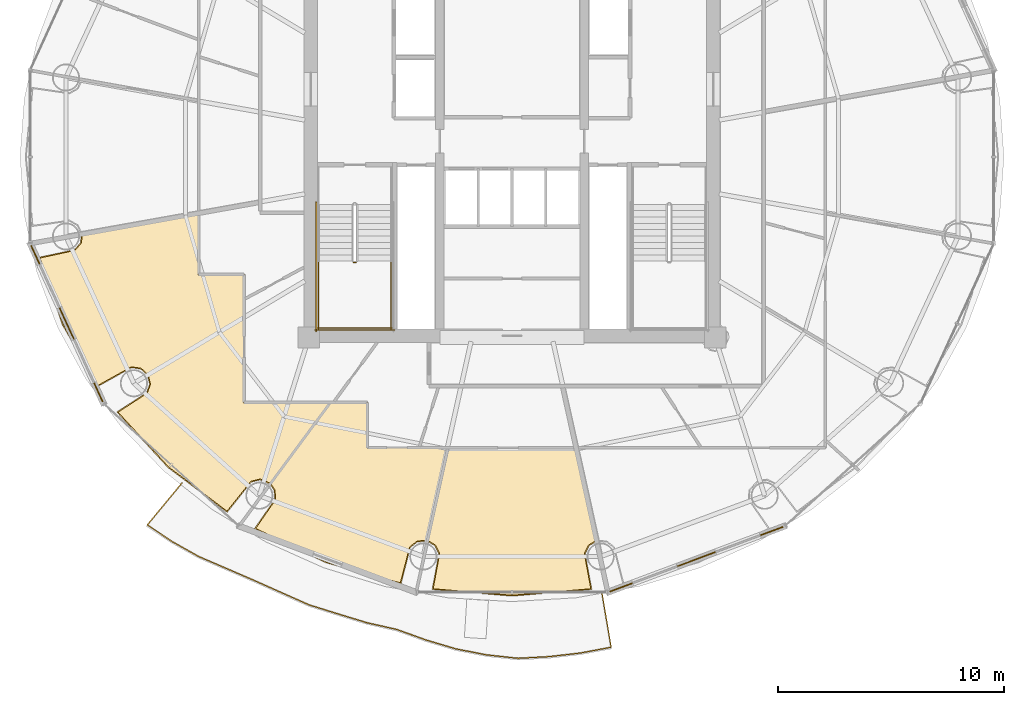
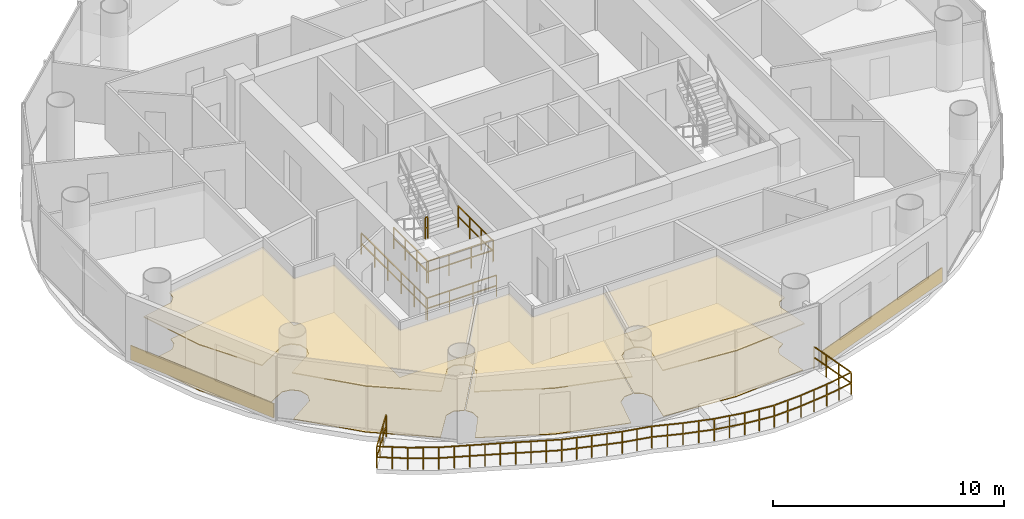
# One storey, part 24 of 27: 8 coverings, 7 railings.
"""IFC4 building model written with IfcOpenShell, lengths in metres."""

from ifc_helpers import new_model, si_unit, direction, frame, origin, origin_2d, place, context, subcontext, project, spatial, polyline, rectangle, outline, extrude, source, transform, mapped, material, layer, layer_set, type_object, element, save


model = new_model("IFC4")

# Units and contexts
model_context = context("Model", 3, precision=1e-05, world=origin(), true_north=direction((-0.2419218956, 0.970295726276)))
body_context = subcontext(model_context, "Body", "Model", "MODEL_VIEW")
ifc_project = project(units=[si_unit("LENGTHUNIT", "METRE"), si_unit("AREAUNIT", "SQUARE_METRE"), si_unit("VOLUMEUNIT", "CUBIC_METRE"), si_unit("PLANEANGLEUNIT", "RADIAN"), si_unit("MASSUNIT", "GRAM", prefix="KILO")], contexts=[model_context])

# Site, building, storey
site_placement = place(None, origin())
site = spatial("IfcSite", under=ifc_project, at=site_placement, CompositionType="ELEMENT")
building_placement = place(site_placement, origin())
building = spatial("IfcBuilding", under=site, at=building_placement, Name="Cobrevalo Terracotta Tower", CompositionType="ELEMENT")
storey_placement = place(building_placement, frame((0.0, 0.0, 198.60009765625)))
storey = spatial("IfcBuildingStorey", under=building, at=storey_placement, Name="L52", CompositionType="ELEMENT", Elevation=198.60009765625)

# Railing
ifc_material_1 = material(Name="Laminated structural glass and stainless steel", Category="steel")
railing_type_1 = type_object("IfcRailingType", Name="Balcony lobe structural glass & terracotta-cap balustrade 1180 mm", PredefinedType="BALUSTRADE", material=ifc_material_1)
railing_1_placement = place(storey_placement, frame((23.3779296875, 12.355712890625, 0.0)))
element("IfcRailing", 1, at=railing_1_placement, inside=storey, type_object=railing_type_1, Name="L52 spiralling balcony lobe balustrade 2", PredefinedType="BALUSTRADE", context=body_context, shape_type="SweptSolid", body=[
    extrude(rectangle(XDim=0.048095703125, YDim=0.048095703125, at=origin_2d()), frame((0.0, 0.0, 1.15576171875), z_axis=(-0.637383386473, -0.770546830925, 0.0), x_axis=(0.770546830925, -0.637383386473, 0.0)), (0.0, 0.0, 1.0), 2.412841796875),
    extrude(rectangle(XDim=0.048095703125, YDim=0.048095703125, at=origin_2d()), frame((0.0, 0.0, 0.58984375), z_axis=(-0.637383386473, -0.770546830925, 0.0), x_axis=(0.770546830925, -0.637383386473, 0.0)), (0.0, 0.0, 1.0), 2.412841796875),
    extrude(rectangle(XDim=0.048095703125, YDim=0.048095703125, at=origin_2d()), frame((-1.537841796875, -1.859130859375, 1.15576171875), z_axis=(0.830731241323, -0.556673696783, 0.0), x_axis=(0.556673696783, 0.830731241323, 0.0)), (0.0, 0.0, 1.0), 1.3408203125),
    extrude(rectangle(XDim=0.048095703125, YDim=0.048095703125, at=origin_2d()), frame((-1.537841796875, -1.859130859375, 0.58984375), z_axis=(0.830731241323, -0.556673696783, 0.0), x_axis=(0.556673696783, 0.830731241323, 0.0)), (0.0, 0.0, 1.0), 1.3408203125),
    extrude(rectangle(XDim=0.048095703125, YDim=0.048095703125, at=origin_2d()), frame((-0.424072265625, -2.60546875, 1.15576171875), z_axis=(0.87194013131, -0.489612507408, 0.0), x_axis=(0.489612507408, 0.87194013131, 0.0)), (0.0, 0.0, 1.0), 1.34033203125),
    extrude(rectangle(XDim=0.048095703125, YDim=0.048095703125, at=origin_2d()), frame((-0.424072265625, -2.60546875, 0.58984375), z_axis=(0.87194013131, -0.489612507408, 0.0), x_axis=(0.489612507408, 0.87194013131, 0.0)), (0.0, 0.0, 1.0), 1.34033203125),
    extrude(rectangle(XDim=0.048095703125, YDim=0.048095703125, at=origin_2d()), frame((0.74462890625, -3.26171875, 1.15576171875), z_axis=(0.918280946174, -0.395929417818, 0.0), x_axis=(0.395929417818, 0.918280946174, 0.0)), (0.0, 0.0, 1.0), 1.347900390625),
    extrude(rectangle(XDim=0.048095703125, YDim=0.048095703125, at=origin_2d()), frame((0.74462890625, -3.26171875, 0.58984375), z_axis=(0.918280946174, -0.395929417818, 0.0), x_axis=(0.395929417818, 0.918280946174, 0.0)), (0.0, 0.0, 1.0), 1.347900390625),
    extrude(rectangle(XDim=0.048095703125, YDim=0.048095703125, at=origin_2d()), frame((1.982421875, -3.79541015625, 1.15576171875), z_axis=(0.918374668053, -0.395711977425, 0.0), x_axis=(0.395711977425, 0.918374668053, 0.0)), (0.0, 0.0, 1.0), 1.330810546875),
    extrude(rectangle(XDim=0.048095703125, YDim=0.048095703125, at=origin_2d()), frame((1.982421875, -3.79541015625, 0.58984375), z_axis=(0.918374668053, -0.395711977425, 0.0), x_axis=(0.395711977425, 0.918374668053, 0.0)), (0.0, 0.0, 1.0), 1.330810546875),
    extrude(rectangle(XDim=0.048095703125, YDim=0.048095703125, at=origin_2d()), frame((3.20458984375, -4.322021484375, 1.15576171875), z_axis=(0.912933213971, -0.40810898891, 0.0), x_axis=(0.40810898891, 0.912933213971, 0.0)), (0.0, 0.0, 1.0), 1.332763671875),
    extrude(rectangle(XDim=0.048095703125, YDim=0.048095703125, at=origin_2d()), frame((3.20458984375, -4.322021484375, 0.58984375), z_axis=(0.912933213971, -0.40810898891, 0.0), x_axis=(0.40810898891, 0.912933213971, 0.0)), (0.0, 0.0, 1.0), 1.332763671875),
    extrude(rectangle(XDim=0.048095703125, YDim=0.048095703125, at=origin_2d()), frame((4.42138671875, -4.865966796875, 1.15576171875), z_axis=(0.914445341458, -0.40470942352, 0.0), x_axis=(0.40470942352, 0.914445341458, 0.0)), (0.0, 0.0, 1.0), 1.33203125),
    extrude(rectangle(XDim=0.048095703125, YDim=0.048095703125, at=origin_2d()), frame((4.42138671875, -4.865966796875, 0.58984375), z_axis=(0.914445341458, -0.40470942352, 0.0), x_axis=(0.40470942352, 0.914445341458, 0.0)), (0.0, 0.0, 1.0), 1.33203125),
    extrude(rectangle(XDim=0.048095703125, YDim=0.048095703125, at=origin_2d()), frame((5.639404296875, -5.405029296875, 1.15576171875), z_axis=(0.95469026063, -0.29760125379, 0.0), x_axis=(0.29760125379, 0.95469026063, 0.0)), (0.0, 0.0, 1.0), 1.34130859375),
    extrude(rectangle(XDim=0.048095703125, YDim=0.048095703125, at=origin_2d()), frame((5.639404296875, -5.405029296875, 0.58984375), z_axis=(0.95469026063, -0.29760125379, 0.0), x_axis=(0.29760125379, 0.95469026063, 0.0)), (0.0, 0.0, 1.0), 1.34130859375),
    extrude(rectangle(XDim=0.048095703125, YDim=0.048095703125, at=origin_2d()), frame((6.919921875, -5.80419921875, 1.15576171875), z_axis=(0.956488522984, -0.291769952872, 0.0), x_axis=(0.291769952872, 0.956488522984, 0.0)), (0.0, 0.0, 1.0), 1.34130859375),
    extrude(rectangle(XDim=0.048095703125, YDim=0.048095703125, at=origin_2d()), frame((6.919921875, -5.80419921875, 0.58984375), z_axis=(0.956488522984, -0.291769952872, 0.0), x_axis=(0.291769952872, 0.956488522984, 0.0)), (0.0, 0.0, 1.0), 1.34130859375),
    extrude(rectangle(XDim=0.048095703125, YDim=0.048095703125, at=origin_2d()), frame((8.202880859375, -6.195556640625, 1.15576171875), z_axis=(0.975481258354, -0.220082517708, 0.0), x_axis=(0.220082517708, 0.975481258354, 0.0)), (0.0, 0.0, 1.0), 1.344482421875),
    extrude(rectangle(XDim=0.048095703125, YDim=0.048095703125, at=origin_2d()), frame((8.202880859375, -6.195556640625, 0.58984375), z_axis=(0.975481258354, -0.220082517708, 0.0), x_axis=(0.220082517708, 0.975481258354, 0.0)), (0.0, 0.0, 1.0), 1.344482421875),
    extrude(rectangle(XDim=0.048095703125, YDim=0.048095703125, at=origin_2d()), frame((9.514404296875, -6.491455078125, 1.15576171875), z_axis=(0.940959841768, -0.33851820657, 0.0), x_axis=(0.33851820657, 0.940959841768, 0.0)), (0.0, 0.0, 1.0), 1.37451171875),
    extrude(rectangle(XDim=0.048095703125, YDim=0.048095703125, at=origin_2d()), frame((9.514404296875, -6.491455078125, 0.58984375), z_axis=(0.940959841768, -0.33851820657, 0.0), x_axis=(0.33851820657, 0.940959841768, 0.0)), (0.0, 0.0, 1.0), 1.37451171875),
    extrude(rectangle(XDim=0.048095703125, YDim=0.048095703125, at=origin_2d()), frame((10.807861328125, -6.956787109375, 1.15576171875), z_axis=(0.95837747589, -0.285504139563, 0.0), x_axis=(0.285504139563, 0.95837747589, 0.0)), (0.0, 0.0, 1.0), 1.38525390625),
    extrude(rectangle(XDim=0.048095703125, YDim=0.048095703125, at=origin_2d()), frame((10.807861328125, -6.956787109375, 0.58984375), z_axis=(0.95837747589, -0.285504139563, 0.0), x_axis=(0.285504139563, 0.95837747589, 0.0)), (0.0, 0.0, 1.0), 1.38525390625),
    extrude(rectangle(XDim=0.048095703125, YDim=0.048095703125, at=origin_2d()), frame((12.135498046875, -7.352294921875, 1.15576171875), z_axis=(0.981566949028, -0.191118613891, 0.0), x_axis=(0.191118613891, 0.981566949028, 0.0)), (0.0, 0.0, 1.0), 1.39111328125),
    extrude(rectangle(XDim=0.048095703125, YDim=0.048095703125, at=origin_2d()), frame((12.135498046875, -7.352294921875, 0.58984375), z_axis=(0.981566949028, -0.191118613891, 0.0), x_axis=(0.191118613891, 0.981566949028, 0.0)), (0.0, 0.0, 1.0), 1.39111328125),
    extrude(rectangle(XDim=0.048095703125, YDim=0.048095703125, at=origin_2d()), frame((13.5009765625, -7.6181640625, 1.15576171875), z_axis=(0.994034619078, -0.109065008479, 0.0), x_axis=(0.109065008479, 0.994034619078, 0.0)), (0.0, 0.0, 1.0), 1.392333984375),
    extrude(rectangle(XDim=0.048095703125, YDim=0.048095703125, at=origin_2d()), frame((13.5009765625, -7.6181640625, 0.58984375), z_axis=(0.994034619078, -0.109065008479, 0.0), x_axis=(0.109065008479, 0.994034619078, 0.0)), (0.0, 0.0, 1.0), 1.392333984375),
    extrude(rectangle(XDim=0.048095703125, YDim=0.048095703125, at=origin_2d()), frame((14.885009765625, -7.77001953125, 1.15576171875), z_axis=(0.998537154402, 0.054069874043, 0.0), x_axis=(-0.054069874043, 0.998537154402, 0.0)), (0.0, 0.0, 1.0), 1.390625),
    extrude(rectangle(XDim=0.048095703125, YDim=0.048095703125, at=origin_2d()), frame((14.885009765625, -7.77001953125, 0.58984375), z_axis=(0.998537154402, 0.054069874043, 0.0), x_axis=(-0.054069874043, 0.998537154402, 0.0)), (0.0, 0.0, 1.0), 1.390625),
    extrude(rectangle(XDim=0.048095703125, YDim=0.048095703125, at=origin_2d()), frame((16.273681640625, -7.69482421875, 1.15576171875), z_axis=(0.993351854088, 0.115117739637, 0.0), x_axis=(-0.115117739637, 0.993351854088, 0.0)), (0.0, 0.0, 1.0), 1.38916015625),
    extrude(rectangle(XDim=0.048095703125, YDim=0.048095703125, at=origin_2d()), frame((16.273681640625, -7.69482421875, 0.58984375), z_axis=(0.993351854088, 0.115117739637, 0.0), x_axis=(-0.115117739637, 0.993351854088, 0.0)), (0.0, 0.0, 1.0), 1.38916015625),
    extrude(rectangle(XDim=0.048095703125, YDim=0.048095703125, at=origin_2d()), frame((17.653564453125, -7.534912109375, 1.15576171875), z_axis=(0.982884170842, 0.1842246094, 0.0), x_axis=(-0.1842246094, 0.982884170842, 0.0)), (0.0, 0.0, 1.0), 1.383544921875),
    extrude(rectangle(XDim=0.048095703125, YDim=0.048095703125, at=origin_2d()), frame((17.653564453125, -7.534912109375, 0.58984375), z_axis=(0.982884170842, 0.1842246094, 0.0), x_axis=(-0.1842246094, 0.982884170842, 0.0)), (0.0, 0.0, 1.0), 1.383544921875),
    extrude(rectangle(XDim=0.048095703125, YDim=0.048095703125, at=origin_2d()), frame((19.013427734375, -7.280029296875, 1.15576171875), z_axis=(-0.166408006596, 0.98605698382, 0.0), x_axis=(-0.98605698382, -0.166408006596, 0.0)), (0.0, 0.0, 1.0), 2.52197265625),
    extrude(rectangle(XDim=0.048095703125, YDim=0.048095703125, at=origin_2d()), frame((19.013427734375, -7.280029296875, 0.58984375), z_axis=(-0.166408006596, 0.98605698382, 0.0), x_axis=(-0.98605698382, -0.166408006596, 0.0)), (0.0, 0.0, 1.0), 2.52197265625),
    extrude(rectangle(XDim=0.0419921875, YDim=0.0419921875, at=origin_2d()), origin(), (0.0, 0.0, 1.0), 1.1318359375),
    extrude(rectangle(XDim=0.0419921875, YDim=0.0419921875, at=origin_2d()), frame((-0.5126953125, -0.61962890625, 0.0)), (0.0, 0.0, 1.0), 1.1318359375),
    extrude(rectangle(XDim=0.0419921875, YDim=0.0419921875, at=origin_2d()), frame((-1.025146484375, -1.239501953125, 0.0)), (0.0, 0.0, 1.0), 1.1318359375),
    extrude(rectangle(XDim=0.0419921875, YDim=0.0419921875, at=origin_2d()), frame((-1.537841796875, -1.859130859375, 0.0)), (0.0, 0.0, 1.0), 1.1318359375),
    extrude(rectangle(XDim=0.0419921875, YDim=0.0419921875, at=origin_2d()), frame((-0.98095703125, -2.232421875, 0.0)), (0.0, 0.0, 1.0), 1.1318359375),
    extrude(rectangle(XDim=0.0419921875, YDim=0.0419921875, at=origin_2d()), frame((-0.424072265625, -2.60546875, 0.0)), (0.0, 0.0, 1.0), 1.1318359375),
    extrude(rectangle(XDim=0.0419921875, YDim=0.0419921875, at=origin_2d()), frame((0.16015625, -2.93359375, 0.0)), (0.0, 0.0, 1.0), 1.1318359375),
    extrude(rectangle(XDim=0.0419921875, YDim=0.0419921875, at=origin_2d()), frame((0.74462890625, -3.26171875, 0.0)), (0.0, 0.0, 1.0), 1.1318359375),
    extrude(rectangle(XDim=0.0419921875, YDim=0.0419921875, at=origin_2d()), frame((1.363525390625, -3.528564453125, 0.0)), (0.0, 0.0, 1.0), 1.1318359375),
    extrude(rectangle(XDim=0.0419921875, YDim=0.0419921875, at=origin_2d()), frame((1.982421875, -3.79541015625, 0.0)), (0.0, 0.0, 1.0), 1.1318359375),
    extrude(rectangle(XDim=0.0419921875, YDim=0.0419921875, at=origin_2d()), frame((2.593505859375, -4.05859375, 0.0)), (0.0, 0.0, 1.0), 1.1318359375),
    extrude(rectangle(XDim=0.0419921875, YDim=0.0419921875, at=origin_2d()), frame((3.20458984375, -4.322021484375, 0.0)), (0.0, 0.0, 1.0), 1.1318359375),
    extrude(rectangle(XDim=0.0419921875, YDim=0.0419921875, at=origin_2d()), frame((3.81298828125, -4.593994140625, 0.0)), (0.0, 0.0, 1.0), 1.1318359375),
    extrude(rectangle(XDim=0.0419921875, YDim=0.0419921875, at=origin_2d()), frame((4.42138671875, -4.865966796875, 0.0)), (0.0, 0.0, 1.0), 1.1318359375),
    extrude(rectangle(XDim=0.0419921875, YDim=0.0419921875, at=origin_2d()), frame((5.0302734375, -5.135498046875, 0.0)), (0.0, 0.0, 1.0), 1.1318359375),
    extrude(rectangle(XDim=0.0419921875, YDim=0.0419921875, at=origin_2d()), frame((5.639404296875, -5.405029296875, 0.0)), (0.0, 0.0, 1.0), 1.1318359375),
    extrude(rectangle(XDim=0.0419921875, YDim=0.0419921875, at=origin_2d()), frame((6.27978515625, -5.6044921875, 0.0)), (0.0, 0.0, 1.0), 1.1318359375),
    extrude(rectangle(XDim=0.0419921875, YDim=0.0419921875, at=origin_2d()), frame((6.919921875, -5.80419921875, 0.0)), (0.0, 0.0, 1.0), 1.1318359375),
    extrude(rectangle(XDim=0.0419921875, YDim=0.0419921875, at=origin_2d()), frame((7.5615234375, -6.0, 0.0)), (0.0, 0.0, 1.0), 1.1318359375),
    extrude(rectangle(XDim=0.0419921875, YDim=0.0419921875, at=origin_2d()), frame((8.202880859375, -6.195556640625, 0.0)), (0.0, 0.0, 1.0), 1.1318359375),
    extrude(rectangle(XDim=0.0419921875, YDim=0.0419921875, at=origin_2d()), frame((8.858642578125, -6.343505859375, 0.0)), (0.0, 0.0, 1.0), 1.1318359375),
    extrude(rectangle(XDim=0.0419921875, YDim=0.0419921875, at=origin_2d()), frame((9.514404296875, -6.491455078125, 0.0)), (0.0, 0.0, 1.0), 1.1318359375),
    extrude(rectangle(XDim=0.0419921875, YDim=0.0419921875, at=origin_2d()), frame((10.1611328125, -6.72412109375, 0.0)), (0.0, 0.0, 1.0), 1.1318359375),
    extrude(rectangle(XDim=0.0419921875, YDim=0.0419921875, at=origin_2d()), frame((10.807861328125, -6.956787109375, 0.0)), (0.0, 0.0, 1.0), 1.1318359375),
    extrude(rectangle(XDim=0.0419921875, YDim=0.0419921875, at=origin_2d()), frame((11.4716796875, -7.154541015625, 0.0)), (0.0, 0.0, 1.0), 1.1318359375),
    extrude(rectangle(XDim=0.0419921875, YDim=0.0419921875, at=origin_2d()), frame((12.135498046875, -7.352294921875, 0.0)), (0.0, 0.0, 1.0), 1.1318359375),
    extrude(rectangle(XDim=0.0419921875, YDim=0.0419921875, at=origin_2d()), frame((12.818359375, -7.4853515625, 0.0)), (0.0, 0.0, 1.0), 1.1318359375),
    extrude(rectangle(XDim=0.0419921875, YDim=0.0419921875, at=origin_2d()), frame((13.5009765625, -7.6181640625, 0.0)), (0.0, 0.0, 1.0), 1.1318359375),
    extrude(rectangle(XDim=0.0419921875, YDim=0.0419921875, at=origin_2d()), frame((14.19287109375, -7.694091796875, 0.0)), (0.0, 0.0, 1.0), 1.1318359375),
    extrude(rectangle(XDim=0.0419921875, YDim=0.0419921875, at=origin_2d()), frame((14.885009765625, -7.77001953125, 0.0)), (0.0, 0.0, 1.0), 1.1318359375),
    extrude(rectangle(XDim=0.0419921875, YDim=0.0419921875, at=origin_2d()), frame((15.579345703125, -7.732421875, 0.0)), (0.0, 0.0, 1.0), 1.1318359375),
    extrude(rectangle(XDim=0.0419921875, YDim=0.0419921875, at=origin_2d()), frame((16.273681640625, -7.69482421875, 0.0)), (0.0, 0.0, 1.0), 1.1318359375),
    extrude(rectangle(XDim=0.0419921875, YDim=0.0419921875, at=origin_2d()), frame((16.963623046875, -7.61474609375, 0.0)), (0.0, 0.0, 1.0), 1.1318359375),
    extrude(rectangle(XDim=0.0419921875, YDim=0.0419921875, at=origin_2d()), frame((17.653564453125, -7.534912109375, 0.0)), (0.0, 0.0, 1.0), 1.1318359375),
    extrude(rectangle(XDim=0.0419921875, YDim=0.0419921875, at=origin_2d()), frame((18.33349609375, -7.407470703125, 0.0)), (0.0, 0.0, 1.0), 1.1318359375),
    extrude(rectangle(XDim=0.0419921875, YDim=0.0419921875, at=origin_2d()), frame((19.013427734375, -7.280029296875, 0.0)), (0.0, 0.0, 1.0), 1.1318359375),
    extrude(rectangle(XDim=0.0419921875, YDim=0.0419921875, at=origin_2d()), frame((18.87353515625, -6.451171875, 0.0)), (0.0, 0.0, 1.0), 1.1318359375),
    extrude(rectangle(XDim=0.0419921875, YDim=0.0419921875, at=origin_2d()), frame((18.733642578125, -5.6220703125, 0.0)), (0.0, 0.0, 1.0), 1.1318359375),
    extrude(rectangle(XDim=0.0419921875, YDim=0.0419921875, at=origin_2d()), frame((18.59375, -4.793212890625, 0.0)), (0.0, 0.0, 1.0), 1.1318359375),
])

# Coverings
ifc_material_2 = material(Name="Engineered Brazilian hardwood flooring", Category="wood")
ifc_layer_1 = layer(ifc_material_2, 0.028076171875)
ifc_layer_set_1 = layer_set([ifc_layer_1], Name="Engineered Brazilian hardwood flooring")
covering_type_1 = type_object("IfcCoveringType", Name="Engineered Hardwood Suite Flooring 28", PredefinedType="FLOORING", material=ifc_layer_set_1)
covering_1_placement = place(storey_placement, origin())
element("IfcCovering", 2, at=covering_1_placement, inside=storey, type_object=covering_type_1, Name="Flat L52C Living and Dining Room floor finish", PredefinedType="FLOORING", context=body_context, shape_type="SweptSolid", body=[
    extrude(outline(polyline([(22.782470703125, 13.068603515625), (20.546875, 15.4912109375), (21.840087890625, 16.330810546875), (21.985107421875, 16.735107421875), (21.880859375, 17.152099609375), (21.562744140625, 17.44091796875), (21.1376953125, 17.504150390625), (19.662109375, 16.6865234375), (18.117919921875, 19.368896484375), (17.09228515625, 22.322998046875), (18.635986328125, 22.655029296875), (18.9150390625, 22.981689453125), (18.9697265625, 23.35888671875), (24.094970703125, 24.2802734375), (24.094970703125, 21.570068359375), (26.10498046875, 21.570068359375), (26.10498046875, 15.905029296875), (29.919189453125, 15.905029296875), (27.2890625, 12.34765625), (26.843505859375, 12.531005859375), (26.426513671875, 12.427734375), (25.3720703125, 11.108154296875), (22.782470703125, 13.068603515625)])), origin(), (0.0, 0.0, 1.0), 0.02978515625),
])
covering_2_placement = place(storey_placement, origin())
element("IfcCovering", 3, at=covering_2_placement, inside=storey, type_object=covering_type_1, Name="Flat L52C Master Bedroom floor finish", PredefinedType="FLOORING", context=body_context, shape_type="SweptSolid", body=[
    extrude(outline(polyline([(29.763916015625, 8.858642578125), (26.6455078125, 10.34033203125), (27.522705078125, 11.610107421875), (27.502685546875, 12.039306640625), (27.318603515625, 12.320556640625), (29.968994140625, 15.905029296875), (31.570068359375, 15.905029296875), (31.570068359375, 13.89501953125), (35.138916015625, 13.89501953125), (34.240234375, 9.812255859375), (33.801025390625, 9.78662109375), (33.462890625, 9.521484375), (33.0517578125, 7.93017578125), (29.763916015625, 8.858642578125)])), origin(), (0.0, 0.0, 1.0), 0.02978515625),
])
covering_3_placement = place(storey_placement, origin())
element("IfcCovering", 4, at=covering_3_placement, inside=storey, type_object=covering_type_1, Name="Flat L52C Penthouse Family Lounge floor finish", PredefinedType="FLOORING", context=body_context, shape_type="SweptSolid", body=[
    extrude(outline(polyline([(34.509765625, 7.66845703125), (34.7978515625, 9.22509765625), (34.603759765625, 9.6083984375), (34.279052734375, 9.802978515625), (35.179931640625, 13.89501953125), (40.820068359375, 13.89501953125), (41.720947265625, 9.802978515625), (41.396240234375, 9.6083984375), (41.2021484375, 9.22509765625), (41.490234375, 7.66845703125), (38.0, 7.380126953125), (34.509765625, 7.66845703125)])), origin(), (0.0, 0.0, 1.0), 0.02978515625),
])
ifc_material_3 = material(Name="Acoustic perforated gypsum ceiling", Category="gypsum")
ifc_layer_2 = layer(ifc_material_3, 0.050048828125)
ifc_layer_set_2 = layer_set([ifc_layer_2], Name="Acoustic perforated gypsum ceiling")
covering_type_2 = type_object("IfcCoveringType", Name="Perforated Acoustic Gypsum Ceiling 50", PredefinedType="CEILING", material=ifc_layer_set_2)
covering_4_placement = place(storey_placement, frame((0.0, 0.0, 2.44482421875)))
element("IfcCovering", 5, at=covering_4_placement, inside=storey, type_object=covering_type_2, Name="Flat L52C Living and Dining Room acoustic ceiling", PredefinedType="CEILING", context=body_context, shape_type="SweptSolid", body=[
    extrude(outline(polyline([(22.752197265625, 13.03515625), (20.481201171875, 15.50439453125), (21.8037109375, 16.357666015625), (21.93994140625, 16.737548828125), (21.842041015625, 17.12890625), (21.54345703125, 17.39990234375), (21.144287109375, 17.45947265625), (19.650146484375, 16.626953125), (18.076904296875, 19.35009765625), (17.038330078125, 22.359130859375), (18.611572265625, 22.693359375), (18.873779296875, 23.0), (18.921630859375, 23.39599609375), (24.139892578125, 24.333984375), (24.139892578125, 21.614990234375), (26.14990234375, 21.614990234375), (26.14990234375, 15.949951171875), (30.008544921875, 15.949951171875), (27.29541015625, 12.28076171875), (26.84130859375, 12.48583984375), (26.44970703125, 12.388916015625), (25.3837890625, 11.048583984375), (22.752197265625, 13.03515625)])), origin(), (0.0, 0.0, 1.0), 0.050048828125),
])
covering_5_placement = place(storey_placement, frame((0.0, 0.0, 2.44482421875)))
element("IfcCovering", 6, at=covering_5_placement, inside=storey, type_object=covering_type_2, Name="Flat L52C Master Bedroom acoustic ceiling", PredefinedType="CEILING", context=body_context, shape_type="SweptSolid", body=[
    extrude(outline(polyline([(29.748291015625, 8.81640625), (26.579833984375, 10.327392578125), (27.478759765625, 11.621337890625), (27.460205078125, 12.024169921875), (27.25830078125, 12.314697265625), (29.9462890625, 15.949951171875), (31.614990234375, 15.949951171875), (31.614990234375, 13.93994140625), (35.19482421875, 13.93994140625), (34.275146484375, 9.76123046875), (33.8173828125, 9.74462890625), (33.499755859375, 9.49560546875), (33.08642578125, 7.878173828125), (29.748291015625, 8.81640625)])), origin(), (0.0, 0.0, 1.0), 0.050048828125),
])
covering_6_placement = place(storey_placement, frame((0.0, 0.0, 2.44482421875)))
element("IfcCovering", 7, at=covering_6_placement, inside=storey, type_object=covering_type_2, Name="Flat L52C Penthouse Family Lounge acoustic ceiling", PredefinedType="CEILING", context=body_context, shape_type="SweptSolid", body=[
    extrude(outline(polyline([(34.455810546875, 7.632568359375), (34.753173828125, 9.21728515625), (34.571044921875, 9.5771484375), (34.2265625, 9.77294921875), (35.143798828125, 13.93994140625), (40.856201171875, 13.93994140625), (41.7734375, 9.77294921875), (41.428955078125, 9.5771484375), (41.246826171875, 9.21728515625), (41.544189453125, 7.632568359375), (38.0, 7.3349609375), (34.455810546875, 7.632568359375)])), origin(), (0.0, 0.0, 1.0), 0.050048828125),
])

# Railings
ifc_material_4 = material(Name="Painted galvanized steel", Category="steel")
railing_type_2 = type_object("IfcRailingType", Name="Stair Well Guard Balustrade 1150", PredefinedType="GUARDRAIL", material=ifc_material_4)
railing_2_placement = place(storey_placement, frame((30.97509765625, 22.1298828125, 1.849853515625)))
element("IfcRailing", 8, at=railing_2_placement, inside=storey, type_object=railing_type_2, Name="L52 ST-1 stair guard 2", PredefinedType="GUARDRAIL", context=body_context, shape_type="SweptSolid", body=[
    extrude(rectangle(XDim=0.048095703125, YDim=0.048095703125, at=origin_2d()), frame((0.0, 0.0, 1.1259765625), z_axis=(1.0, 0.0, 0.0), x_axis=(0.0, 1.0, 0.0)), (0.0, 0.0, 1.0), 0.119873046875),
    extrude(rectangle(XDim=0.048095703125, YDim=0.048095703125, at=origin_2d()), frame((0.0, 0.0, 0.574951171875), z_axis=(1.0, 0.0, 0.0), x_axis=(0.0, 1.0, 0.0)), (0.0, 0.0, 1.0), 0.119873046875),
    extrude(rectangle(XDim=0.0419921875, YDim=0.0419921875, at=origin_2d()), origin(), (0.0, 0.0, 1.0), 1.101806640625),
    extrude(rectangle(XDim=0.0419921875, YDim=0.0419921875, at=origin_2d()), frame((0.119873046875, 0.0, 0.0)), (0.0, 0.0, 1.0), 1.101806640625),
])
for number, where, name in (
    (9, (29.425048828125, 22.179931640625, 1.849853515625), "L52 ST-1 stair guard 3"),
    (10, (32.64501953125, 22.179931640625, 1.849853515625), "L52 ST-1 stair guard 4"),
):
    element("IfcRailing", number, at=place(storey_placement, frame(where)), inside=storey, type_object=railing_type_2, Name=name, PredefinedType="GUARDRAIL", context=body_context, shape_type="SweptSolid", body=[
        extrude(rectangle(XDim=0.048095703125, YDim=0.048095703125, at=origin_2d()), frame((0.0, 0.0, 1.1259765625), z_axis=(0.0, -1.0, 0.0), x_axis=(1.0, 0.0, 0.0)), (0.0, 0.0, 1.0), 3.0048828125),
        extrude(rectangle(XDim=0.048095703125, YDim=0.048095703125, at=origin_2d()), frame((0.0, 0.0, 0.574951171875), z_axis=(0.0, -1.0, 0.0), x_axis=(1.0, 0.0, 0.0)), (0.0, 0.0, 1.0), 3.0048828125),
        extrude(rectangle(XDim=0.0419921875, YDim=0.0419921875, at=origin_2d()), origin(), (0.0, 0.0, 1.0), 1.101806640625),
        extrude(rectangle(XDim=0.0419921875, YDim=0.0419921875, at=origin_2d()), frame((0.0, -1.001708984375, 0.0)), (0.0, 0.0, 1.0), 1.101806640625),
        extrude(rectangle(XDim=0.0419921875, YDim=0.0419921875, at=origin_2d()), frame((0.0, -2.003173828125, 0.0)), (0.0, 0.0, 1.0), 1.101806640625),
        extrude(rectangle(XDim=0.0419921875, YDim=0.0419921875, at=origin_2d()), frame((0.0, -3.0048828125, 0.0)), (0.0, 0.0, 1.0), 1.101806640625),
    ])
railing_3_placement = place(storey_placement, frame((29.375, 19.22509765625, 1.849853515625)))
element("IfcRailing", 11, at=railing_3_placement, inside=storey, type_object=railing_type_2, Name="L52 ST-1 stair guard 5", PredefinedType="GUARDRAIL", context=body_context, shape_type="SweptSolid", body=[
    extrude(rectangle(XDim=0.048095703125, YDim=0.048095703125, at=origin_2d()), frame((0.0, 0.0, 1.1259765625), z_axis=(1.0, 0.0, 0.0), x_axis=(0.0, 1.0, 0.0)), (0.0, 0.0, 1.0), 3.320068359375),
    extrude(rectangle(XDim=0.048095703125, YDim=0.048095703125, at=origin_2d()), frame((0.0, 0.0, 0.574951171875), z_axis=(1.0, 0.0, 0.0), x_axis=(0.0, 1.0, 0.0)), (0.0, 0.0, 1.0), 3.320068359375),
    extrude(rectangle(XDim=0.0419921875, YDim=0.0419921875, at=origin_2d()), origin(), (0.0, 0.0, 1.0), 1.101806640625),
    extrude(rectangle(XDim=0.0419921875, YDim=0.0419921875, at=origin_2d()), frame((1.106689453125, 0.0, 0.0)), (0.0, 0.0, 1.0), 1.101806640625),
    extrude(rectangle(XDim=0.0419921875, YDim=0.0419921875, at=origin_2d()), frame((2.21337890625, 0.0, 0.0)), (0.0, 0.0, 1.0), 1.101806640625),
    extrude(rectangle(XDim=0.0419921875, YDim=0.0419921875, at=origin_2d()), frame((3.320068359375, 0.0, 0.0)), (0.0, 0.0, 1.0), 1.101806640625),
])
railing_4_placement = place(storey_placement, frame((29.324951171875, 24.800048828125, 0.0)))
element("IfcRailing", 12, at=railing_4_placement, inside=storey, type_object=railing_type_2, Name="L52 ST-1 stair guard 10", PredefinedType="GUARDRAIL", context=body_context, shape_type="SweptSolid", body=[
    extrude(rectangle(XDim=0.048095703125, YDim=0.048095703125, at=origin_2d()), frame((0.0, 0.0, 1.1259765625), z_axis=(0.0, -1.0, 0.0), x_axis=(1.0, 0.0, 0.0)), (0.0, 0.0, 1.0), 5.72509765625),
    extrude(rectangle(XDim=0.048095703125, YDim=0.048095703125, at=origin_2d()), frame((0.0, 0.0, 0.574951171875), z_axis=(0.0, -1.0, 0.0), x_axis=(1.0, 0.0, 0.0)), (0.0, 0.0, 1.0), 5.72509765625),
    extrude(rectangle(XDim=0.0419921875, YDim=0.0419921875, at=origin_2d()), origin(), (0.0, 0.0, 1.0), 1.101806640625),
    extrude(rectangle(XDim=0.0419921875, YDim=0.0419921875, at=origin_2d()), frame((0.0, -1.14501953125, 0.0)), (0.0, 0.0, 1.0), 1.101806640625),
    extrude(rectangle(XDim=0.0419921875, YDim=0.0419921875, at=origin_2d()), frame((0.0, -2.2900390625, 0.0)), (0.0, 0.0, 1.0), 1.101806640625),
    extrude(rectangle(XDim=0.0419921875, YDim=0.0419921875, at=origin_2d()), frame((0.0, -3.43505859375, 0.0)), (0.0, 0.0, 1.0), 1.101806640625),
    extrude(rectangle(XDim=0.0419921875, YDim=0.0419921875, at=origin_2d()), frame((0.0, -4.580078125, 0.0)), (0.0, 0.0, 1.0), 1.101806640625),
    extrude(rectangle(XDim=0.0419921875, YDim=0.0419921875, at=origin_2d()), frame((0.0, -5.72509765625, 0.0)), (0.0, 0.0, 1.0), 1.101806640625),
])
railing_5_placement = place(storey_placement, frame((29.27490234375, 19.125, 0.0)))
element("IfcRailing", 13, at=railing_5_placement, inside=storey, type_object=railing_type_2, Name="L52 ST-1 stair guard 12", PredefinedType="GUARDRAIL", context=body_context, shape_type="SweptSolid", body=[
    extrude(rectangle(XDim=0.048095703125, YDim=0.048095703125, at=origin_2d()), frame((0.0, 0.0, 1.1259765625), z_axis=(1.0, 0.0, 0.0), x_axis=(0.0, 1.0, 0.0)), (0.0, 0.0, 1.0), 3.52001953125),
    extrude(rectangle(XDim=0.048095703125, YDim=0.048095703125, at=origin_2d()), frame((0.0, 0.0, 0.574951171875), z_axis=(1.0, 0.0, 0.0), x_axis=(0.0, 1.0, 0.0)), (0.0, 0.0, 1.0), 3.52001953125),
    extrude(rectangle(XDim=0.0419921875, YDim=0.0419921875, at=origin_2d()), origin(), (0.0, 0.0, 1.0), 1.101806640625),
    extrude(rectangle(XDim=0.0419921875, YDim=0.0419921875, at=origin_2d()), frame((1.17333984375, 0.0, 0.0)), (0.0, 0.0, 1.0), 1.101806640625),
    extrude(rectangle(XDim=0.0419921875, YDim=0.0419921875, at=origin_2d()), frame((2.3466796875, 0.0, 0.0)), (0.0, 0.0, 1.0), 1.101806640625),
    extrude(rectangle(XDim=0.0419921875, YDim=0.0419921875, at=origin_2d()), frame((3.52001953125, 0.0, 0.0)), (0.0, 0.0, 1.0), 1.101806640625),
])

# Coverings
ifc_material_5 = material(Name="Glazed terracotta facade cladding tile", Category="masonry")
ifc_layer_3 = layer(ifc_material_5, 0.044921875)
ifc_layer_set_3 = layer_set([ifc_layer_3], Name="Glazed terracotta facade cladding tile")
covering_type_3 = type_object("IfcCoveringType", Name="Architectural terracotta rainscreen spandrel cladding 45 mm", PredefinedType="CLADDING", material=ifc_layer_set_3)
shared_shape_1 = source(origin(), body_context, "Body", "SweptSolid", [
    extrude(rectangle(XDim=7.60009765625, YDim=0.044921875, at=origin_2d()), origin(), (0.0, 0.0, 1.0), 0.760009765625),
])
covering_7_placement = place(storey_placement, frame((18.273681640625, 19.417236328125, 0.0400390625), z_axis=(0.0, 0.0, 1.0), x_axis=(0.416731425355, -0.909029657999, 0.0)))
element("IfcCovering", 14, at=covering_7_placement, inside=storey, type_object=covering_type_3, Name="L52 terracotta spandrel cladding S09", PredefinedType="CLADDING", context=body_context, shape_type="MappedRepresentation", body=[
    mapped(shared_shape_1, transform((0.0, 0.0, 0.0), scale=1.0)),
])
shared_shape_2 = source(origin(), body_context, "Body", "SweptSolid", [
    extrude(rectangle(XDim=8.17919921875, YDim=0.044921875, at=origin_2d()), origin(), (0.0, 0.0, 1.0), 0.760009765625),
])
covering_8_placement = place(storey_placement, frame((46.1708984375, 8.9765625, 0.0400390625), z_axis=(0.0, 0.0, 1.0), x_axis=(0.936557839879, 0.350513070458, 0.0)))
element("IfcCovering", 15, at=covering_8_placement, inside=storey, type_object=covering_type_3, Name="L52 terracotta spandrel cladding S13", PredefinedType="CLADDING", context=body_context, shape_type="MappedRepresentation", body=[
    mapped(shared_shape_2, transform((0.0, 0.0, 0.0), scale=1.0)),
])

save(model, "model.ifc")
